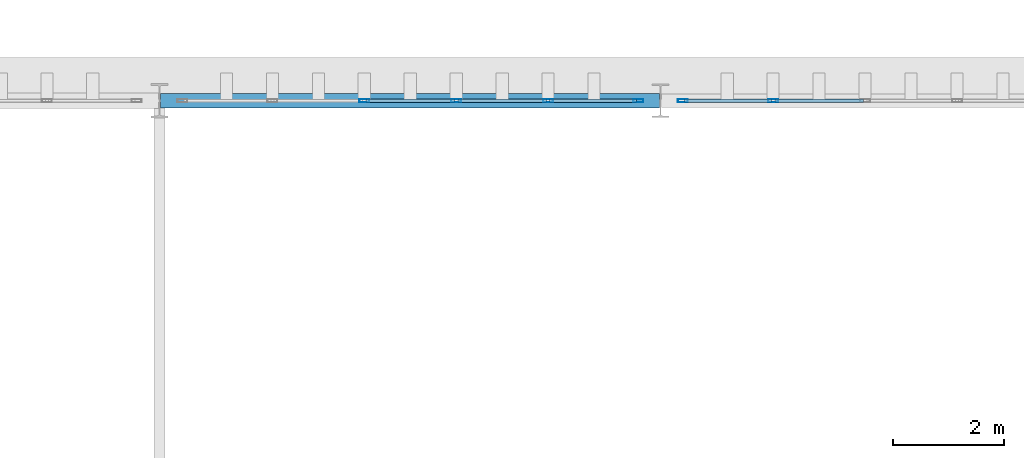
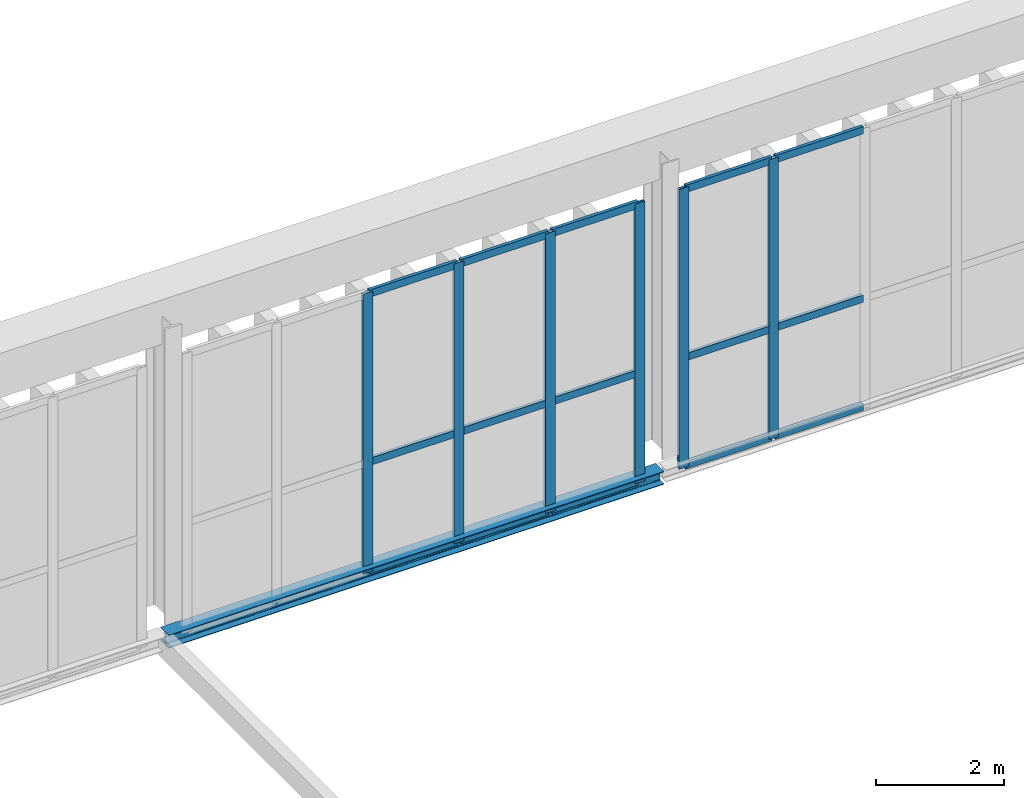
# One storey, part 168 of 237: 21 members, 1 beam, 2 elements without a shape of their own.
"""IFC4 building model written with IfcOpenShell, lengths in metres."""

from ifc_helpers import new_model, si_unit, direction, frame, origin, origin_2d, place, context, subcontext, project, spatial, hollow_rectangle, i_section, extrude, material, layer, layer_set, material_profile, profile_set, type_object, element, aggregate, save


model = new_model("IFC4")

# Units and contexts
model_context = context("Model", 3, precision=1e-05, world=origin(), true_north=direction((0.0, 1.0)))
body_context = subcontext(model_context, "Body", "Model", "MODEL_VIEW")
ifc_project = project(units=[si_unit("LENGTHUNIT", "METRE"), si_unit("AREAUNIT", "SQUARE_METRE"), si_unit("VOLUMEUNIT", "CUBIC_METRE"), si_unit("PLANEANGLEUNIT", "RADIAN"), si_unit("MASSUNIT", "GRAM", prefix="KILO")], contexts=[model_context])

# Site, building, storey
site_placement = place(None, origin())
site = spatial("IfcSite", under=ifc_project, at=site_placement, CompositionType="ELEMENT")
building_placement = place(site_placement, origin())
building = spatial("IfcBuilding", under=site, at=building_placement, Name="Barlavento Convention Centre", CompositionType="ELEMENT")
storey_placement = place(building_placement, frame((0.0, 0.0, 12.0)))
storey = spatial("IfcBuildingStorey", under=building, at=storey_placement, Name="L02", CompositionType="ELEMENT", Elevation=12.0)

# Curtain wall, members
ifc_material_1 = material(Name="Powder-coated aluminium and Low-E glass", Category="aluminium")
ifc_layer = layer(ifc_material_1, 0.18505859375)
ifc_layer_set = layer_set([ifc_layer], Name="ARC-CW-EXH-L02")
curtain_wall_type = type_object("IfcCurtainWallType", Name="ARC-CW-EXH-L02", PredefinedType="NOTDEFINED", material=ifc_layer_set)
curtain_wall_1_placement = place(storey_placement, origin())
curtain_wall_1 = element("IfcCurtainWall", 1, at=curtain_wall_1_placement, inside=storey, type_object=curtain_wall_type, Name="L02 unitised curtain wall CW05", PredefinedType="NOTDEFINED")
ifc_material_2 = material(Name="Powder-coated aluminium", Category="aluminium")
ifc_material_profile_1 = material_profile(ifc_material_2, hollow_rectangle(XDim=0.06005859375, YDim=0.179931640625, WallThickness=0.0048828125, at=origin_2d()), Name="AL-MULL 60x180x5")
ifc_profile_set_1 = profile_set([ifc_material_profile_1], Name="Powder-coated aluminium")
member_type_1 = type_object("IfcMemberType", Name="ARC-CWM-60X180", PredefinedType="MULLION", material=ifc_profile_set_1)
member_1_placement = place(storey_placement, frame((21.679931640625, 135.0, -0.5), z_axis=(0.0, 0.0, 1.0), x_axis=(0.0, 1.0, 0.0)))
member_1 = element("IfcMember", 2, at=member_1_placement, type_object=member_type_1, Name="CW05 mullion 3", PredefinedType="MULLION", context=body_context, shape_type="SweptSolid", body=[
    extrude(hollow_rectangle(XDim=0.06005859375, YDim=0.179931640625, WallThickness=0.0048828125, at=origin_2d()), origin(), (0.0, 0.0, 1.0), 5.35009765625),
])
member_2_placement = place(storey_placement, frame((23.330078125, 135.0, -0.5), z_axis=(0.0, 0.0, 1.0), x_axis=(0.0, 1.0, 0.0)))
member_2 = element("IfcMember", 3, at=member_2_placement, type_object=member_type_1, Name="CW05 mullion 4", PredefinedType="MULLION", context=body_context, shape_type="SweptSolid", body=[
    extrude(hollow_rectangle(XDim=0.06005859375, YDim=0.179931640625, WallThickness=0.0048828125, at=origin_2d()), origin(), (0.0, 0.0, 1.0), 5.35009765625),
])
member_3_placement = place(storey_placement, frame((24.97998046875, 135.0, -0.5), z_axis=(0.0, 0.0, 1.0), x_axis=(0.0, 1.0, 0.0)))
member_3 = element("IfcMember", 4, at=member_3_placement, type_object=member_type_1, Name="CW05 mullion 5", PredefinedType="MULLION", context=body_context, shape_type="SweptSolid", body=[
    extrude(hollow_rectangle(XDim=0.06005859375, YDim=0.179931640625, WallThickness=0.0048828125, at=origin_2d()), origin(), (0.0, 0.0, 1.0), 5.35009765625),
])
member_4_placement = place(storey_placement, frame((26.60009765625, 135.0, -0.5), z_axis=(0.0, 0.0, 1.0), x_axis=(0.0, 1.0, 0.0)))
member_4 = element("IfcMember", 5, at=member_4_placement, type_object=member_type_1, Name="CW05 mullion 6", PredefinedType="MULLION", context=body_context, shape_type="SweptSolid", body=[
    extrude(hollow_rectangle(XDim=0.06005859375, YDim=0.179931640625, WallThickness=0.0048828125, at=origin_2d()), origin(), (0.0, 0.0, 1.0), 5.35009765625),
])

curtain_wall_2_placement = place(storey_placement, origin())
curtain_wall_2 = element("IfcCurtainWall", 6, at=curtain_wall_2_placement, inside=storey, type_object=curtain_wall_type, Name="L02 unitised curtain wall CW05", PredefinedType="NOTDEFINED")
member_5_placement = place(storey_placement, frame((27.39990234375, 135.0, -0.5), z_axis=(0.0, 0.0, 1.0), x_axis=(0.0, 1.0, 0.0)))
member_5 = element("IfcMember", 7, at=member_5_placement, type_object=member_type_1, Name="CW05 mullion 1", PredefinedType="MULLION", context=body_context, shape_type="SweptSolid", body=[
    extrude(hollow_rectangle(XDim=0.06005859375, YDim=0.179931640625, WallThickness=0.0048828125, at=origin_2d()), origin(), (0.0, 0.0, 1.0), 5.35009765625),
])
member_6_placement = place(storey_placement, frame((29.02197265625, 135.0, -0.5), z_axis=(0.0, 0.0, 1.0), x_axis=(0.0, 1.0, 0.0)))
member_6 = element("IfcMember", 8, at=member_6_placement, type_object=member_type_1, Name="CW05 mullion 2", PredefinedType="MULLION", context=body_context, shape_type="SweptSolid", body=[
    extrude(hollow_rectangle(XDim=0.06005859375, YDim=0.179931640625, WallThickness=0.0048828125, at=origin_2d()), origin(), (0.0, 0.0, 1.0), 5.35009765625),
])

# Member
ifc_material_profile_2 = material_profile(ifc_material_2, hollow_rectangle(XDim=0.06005859375, YDim=0.139892578125, WallThickness=0.00390625, at=origin_2d()), Name="AL-TRAN 60x140x4")
ifc_profile_set_2 = profile_set([ifc_material_profile_2], Name="Powder-coated aluminium")
member_type_2 = type_object("IfcMemberType", Name="ARC-CWT-60X140", PredefinedType="USERDEFINED", material=ifc_profile_set_2)
member_7_placement = place(storey_placement, frame((21.7099609375, 135.0, -0.469970703125), z_axis=(1.0, 0.0, 0.0), x_axis=(0.0, 1.0, 0.0)))
member_7 = element("IfcMember", 9, at=member_7_placement, type_object=member_type_2, Name="CW05 transom 3.1", ObjectType="TRANSOM", PredefinedType="USERDEFINED", context=body_context, shape_type="SweptSolid", body=[
    extrude(hollow_rectangle(XDim=0.06005859375, YDim=0.139892578125, WallThickness=0.00390625, at=origin_2d()), origin(), (0.0, 0.0, 1.0), 1.590087890625),
])

member_8_placement = place(storey_placement, frame((21.7099609375, 135.0, 1.60009765625), z_axis=(1.0, 0.0, 0.0), x_axis=(0.0, 1.0, 0.0)))
member_8 = element("IfcMember", 10, at=member_8_placement, type_object=member_type_2, Name="CW05 transom 3.2", ObjectType="TRANSOM", PredefinedType="USERDEFINED", context=body_context, shape_type="SweptSolid", body=[
    extrude(hollow_rectangle(XDim=0.06005859375, YDim=0.139892578125, WallThickness=0.00390625, at=origin_2d()), origin(), (0.0, 0.0, 1.0), 1.590087890625),
])

member_9_placement = place(storey_placement, frame((21.7099609375, 135.0, 4.820068359375), z_axis=(1.0, 0.0, 0.0), x_axis=(0.0, 1.0, 0.0)))
member_9 = element("IfcMember", 11, at=member_9_placement, type_object=member_type_2, Name="CW05 transom 3.3", ObjectType="TRANSOM", PredefinedType="USERDEFINED", context=body_context, shape_type="SweptSolid", body=[
    extrude(hollow_rectangle(XDim=0.06005859375, YDim=0.139892578125, WallThickness=0.00390625, at=origin_2d()), origin(), (0.0, 0.0, 1.0), 1.590087890625),
])

member_10_placement = place(storey_placement, frame((23.360107421875, 135.0, -0.469970703125), z_axis=(1.0, 0.0, 0.0), x_axis=(0.0, 1.0, 0.0)))
member_10 = element("IfcMember", 12, at=member_10_placement, type_object=member_type_2, Name="CW05 transom 4.1", ObjectType="TRANSOM", PredefinedType="USERDEFINED", context=body_context, shape_type="SweptSolid", body=[
    extrude(hollow_rectangle(XDim=0.06005859375, YDim=0.139892578125, WallThickness=0.00390625, at=origin_2d()), origin(), (0.0, 0.0, 1.0), 1.58984375),
])

member_11_placement = place(storey_placement, frame((23.360107421875, 135.0, 1.60009765625), z_axis=(1.0, 0.0, 0.0), x_axis=(0.0, 1.0, 0.0)))
member_11 = element("IfcMember", 13, at=member_11_placement, type_object=member_type_2, Name="CW05 transom 4.2", ObjectType="TRANSOM", PredefinedType="USERDEFINED", context=body_context, shape_type="SweptSolid", body=[
    extrude(hollow_rectangle(XDim=0.06005859375, YDim=0.139892578125, WallThickness=0.00390625, at=origin_2d()), origin(), (0.0, 0.0, 1.0), 1.58984375),
])

member_12_placement = place(storey_placement, frame((23.360107421875, 135.0, 4.820068359375), z_axis=(1.0, 0.0, 0.0), x_axis=(0.0, 1.0, 0.0)))
member_12 = element("IfcMember", 14, at=member_12_placement, type_object=member_type_2, Name="CW05 transom 4.3", ObjectType="TRANSOM", PredefinedType="USERDEFINED", context=body_context, shape_type="SweptSolid", body=[
    extrude(hollow_rectangle(XDim=0.06005859375, YDim=0.139892578125, WallThickness=0.00390625, at=origin_2d()), origin(), (0.0, 0.0, 1.0), 1.58984375),
])

member_13_placement = place(storey_placement, frame((25.010009765625, 135.0, -0.469970703125), z_axis=(1.0, 0.0, 0.0), x_axis=(0.0, 1.0, 0.0)))
member_13 = element("IfcMember", 15, at=member_13_placement, type_object=member_type_2, Name="CW05 transom 5.1", ObjectType="TRANSOM", PredefinedType="USERDEFINED", context=body_context, shape_type="SweptSolid", body=[
    extrude(hollow_rectangle(XDim=0.06005859375, YDim=0.139892578125, WallThickness=0.00390625, at=origin_2d()), origin(), (0.0, 0.0, 1.0), 1.56005859375),
])

member_14_placement = place(storey_placement, frame((25.010009765625, 135.0, 1.60009765625), z_axis=(1.0, 0.0, 0.0), x_axis=(0.0, 1.0, 0.0)))
member_14 = element("IfcMember", 16, at=member_14_placement, type_object=member_type_2, Name="CW05 transom 5.2", ObjectType="TRANSOM", PredefinedType="USERDEFINED", context=body_context, shape_type="SweptSolid", body=[
    extrude(hollow_rectangle(XDim=0.06005859375, YDim=0.139892578125, WallThickness=0.00390625, at=origin_2d()), origin(), (0.0, 0.0, 1.0), 1.56005859375),
])

member_15_placement = place(storey_placement, frame((25.010009765625, 135.0, 4.820068359375), z_axis=(1.0, 0.0, 0.0), x_axis=(0.0, 1.0, 0.0)))
member_15 = element("IfcMember", 17, at=member_15_placement, type_object=member_type_2, Name="CW05 transom 5.3", ObjectType="TRANSOM", PredefinedType="USERDEFINED", context=body_context, shape_type="SweptSolid", body=[
    extrude(hollow_rectangle(XDim=0.06005859375, YDim=0.139892578125, WallThickness=0.00390625, at=origin_2d()), origin(), (0.0, 0.0, 1.0), 1.56005859375),
])

aggregate(curtain_wall_1, [member_1, member_2, member_3, member_4, member_7, member_8, member_9, member_10, member_11, member_12, member_13, member_14, member_15])

member_16_placement = place(storey_placement, frame((27.429931640625, 135.0, -0.469970703125), z_axis=(1.0, 0.0, 0.0), x_axis=(0.0, 1.0, 0.0)))
member_16 = element("IfcMember", 18, at=member_16_placement, type_object=member_type_2, Name="CW05 transom 1.1", ObjectType="TRANSOM", PredefinedType="USERDEFINED", context=body_context, shape_type="SweptSolid", body=[
    extrude(hollow_rectangle(XDim=0.06005859375, YDim=0.139892578125, WallThickness=0.00390625, at=origin_2d()), origin(), (0.0, 0.0, 1.0), 1.56201171875),
])

member_17_placement = place(storey_placement, frame((27.429931640625, 135.0, 1.60009765625), z_axis=(1.0, 0.0, 0.0), x_axis=(0.0, 1.0, 0.0)))
member_17 = element("IfcMember", 19, at=member_17_placement, type_object=member_type_2, Name="CW05 transom 1.2", ObjectType="TRANSOM", PredefinedType="USERDEFINED", context=body_context, shape_type="SweptSolid", body=[
    extrude(hollow_rectangle(XDim=0.06005859375, YDim=0.139892578125, WallThickness=0.00390625, at=origin_2d()), origin(), (0.0, 0.0, 1.0), 1.56201171875),
])

member_18_placement = place(storey_placement, frame((27.429931640625, 135.0, 4.820068359375), z_axis=(1.0, 0.0, 0.0), x_axis=(0.0, 1.0, 0.0)))
member_18 = element("IfcMember", 20, at=member_18_placement, type_object=member_type_2, Name="CW05 transom 1.3", ObjectType="TRANSOM", PredefinedType="USERDEFINED", context=body_context, shape_type="SweptSolid", body=[
    extrude(hollow_rectangle(XDim=0.06005859375, YDim=0.139892578125, WallThickness=0.00390625, at=origin_2d()), origin(), (0.0, 0.0, 1.0), 1.56201171875),
])

member_19_placement = place(storey_placement, frame((29.052001953125, 135.0, -0.469970703125), z_axis=(1.0, 0.0, 0.0), x_axis=(0.0, 1.0, 0.0)))
member_19 = element("IfcMember", 21, at=member_19_placement, type_object=member_type_2, Name="CW05 transom 2.1", ObjectType="TRANSOM", PredefinedType="USERDEFINED", context=body_context, shape_type="SweptSolid", body=[
    extrude(hollow_rectangle(XDim=0.06005859375, YDim=0.139892578125, WallThickness=0.00390625, at=origin_2d()), origin(), (0.0, 0.0, 1.0), 1.592041015625),
])

member_20_placement = place(storey_placement, frame((29.052001953125, 135.0, 1.60009765625), z_axis=(1.0, 0.0, 0.0), x_axis=(0.0, 1.0, 0.0)))
member_20 = element("IfcMember", 22, at=member_20_placement, type_object=member_type_2, Name="CW05 transom 2.2", ObjectType="TRANSOM", PredefinedType="USERDEFINED", context=body_context, shape_type="SweptSolid", body=[
    extrude(hollow_rectangle(XDim=0.06005859375, YDim=0.139892578125, WallThickness=0.00390625, at=origin_2d()), origin(), (0.0, 0.0, 1.0), 1.592041015625),
])

member_21_placement = place(storey_placement, frame((29.052001953125, 135.0, 4.820068359375), z_axis=(1.0, 0.0, 0.0), x_axis=(0.0, 1.0, 0.0)))
member_21 = element("IfcMember", 23, at=member_21_placement, type_object=member_type_2, Name="CW05 transom 2.3", ObjectType="TRANSOM", PredefinedType="USERDEFINED", context=body_context, shape_type="SweptSolid", body=[
    extrude(hollow_rectangle(XDim=0.06005859375, YDim=0.139892578125, WallThickness=0.00390625, at=origin_2d()), origin(), (0.0, 0.0, 1.0), 1.592041015625),
])

aggregate(curtain_wall_2, [member_5, member_6, member_16, member_17, member_18, member_19, member_20, member_21])

# Beam
ifc_material_3 = material(Name="Steel S355", Category="steel")
ifc_material_profile_3 = material_profile(ifc_material_3, i_section(OverallWidth=0.260009765625, OverallDepth=0.25, WebThickness=0.007568359375, FlangeThickness=0.012451171875, FilletRadius=0.02392578125, at=origin_2d()), Name="HEA 260")
ifc_profile_set_3 = profile_set([ifc_material_profile_3], Name="Steel S355")
beam_type = type_object("IfcBeamType", Name="STR-BM-SPN-HEA260", PredefinedType="SPANDREL", material=ifc_profile_set_3)
beam_placement = place(storey_placement, frame((18.02001953125, 135.0, -0.485107421875), z_axis=(1.0, 0.0, 0.0), x_axis=(0.0, 1.0, 0.0)))
element("IfcBeam", 24, at=beam_placement, inside=storey, type_object=beam_type, Name="L02 primary girder SP04", PredefinedType="SPANDREL", context=body_context, shape_type="SweptSolid", body=[
    extrude(i_section(OverallWidth=0.260009765625, OverallDepth=0.25, WebThickness=0.007568359375, FlangeThickness=0.012451171875, FilletRadius=0.02392578125, at=origin_2d()), origin(), (0.0, 0.0, 1.0), 8.9599609375),
])

save(model, "model.ifc")
